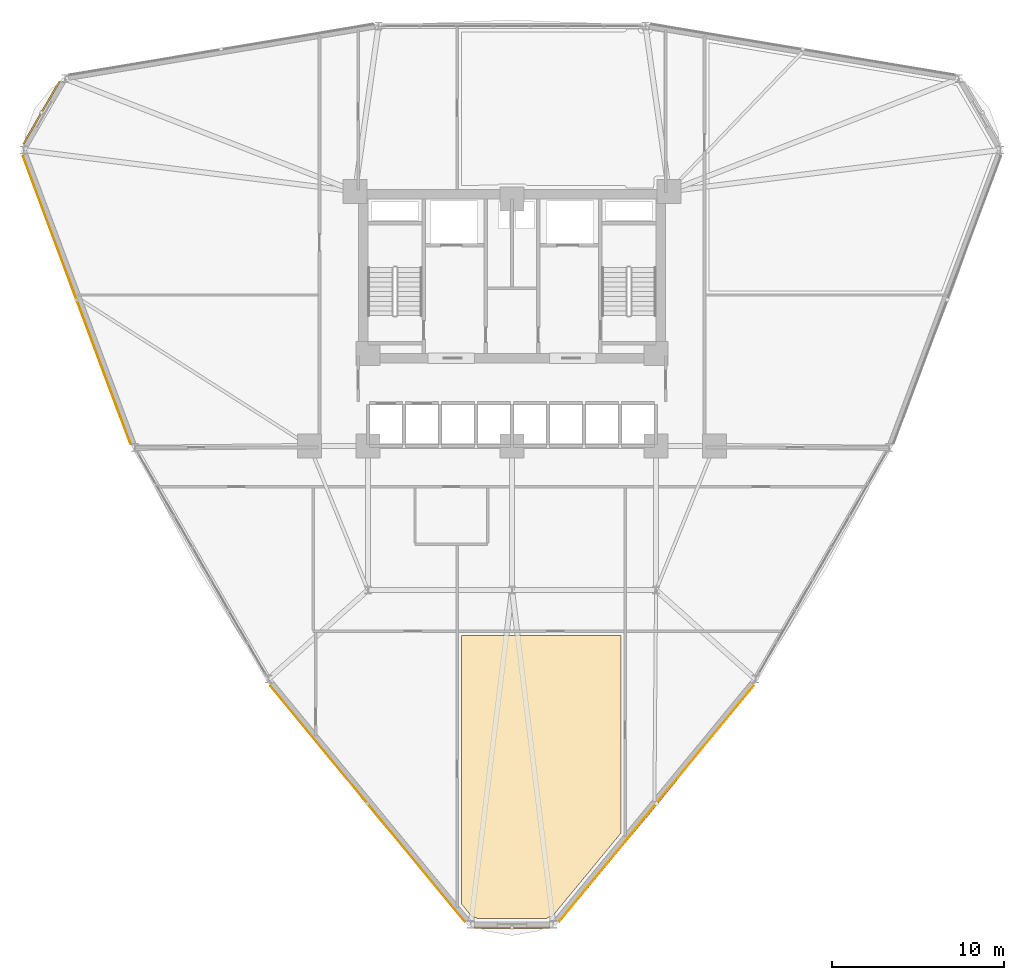
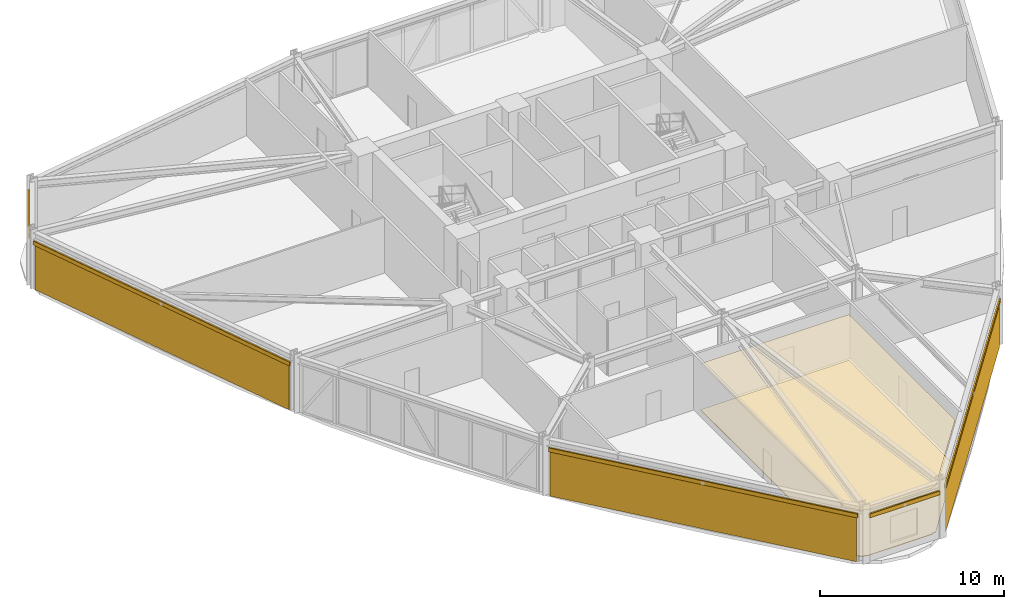
# One storey, part 20 of 22: 5 coverings, 5 shading devices.
"""IFC4 building model written with IfcOpenShell, lengths in metres."""

from ifc_helpers import new_model, si_unit, derived_unit, direction, frame, origin, origin_2d, place, context, subcontext, project, spatial, polyline, hollow_rectangle, outline, extrude, source, transform, mapped, material, layer, layer_set, material_profile, profile_set, type_object, element, save


model = new_model("IFC4")

# Units and contexts
model_context = context("Model", 3, precision=1e-05, world=origin(), true_north=direction((0.0, 1.0)))
body_context = subcontext(model_context, "Body", "Model", "MODEL_VIEW")
ifc_project = project(units=[si_unit("LENGTHUNIT", "METRE"), si_unit("AREAUNIT", "SQUARE_METRE"), si_unit("VOLUMEUNIT", "CUBIC_METRE"), si_unit("PLANEANGLEUNIT", "RADIAN"), si_unit("MASSUNIT", "GRAM", prefix="KILO"), derived_unit("THERMALTRANSMITTANCEUNIT", [(si_unit("POWERUNIT", "WATT"), 1), (si_unit("LENGTHUNIT", "METRE"), -2), (si_unit("THERMODYNAMICTEMPERATUREUNIT", "KELVIN"), -1)])], contexts=[model_context])

# Site, building, storey
site_placement = place(None, origin())
site = spatial("IfcSite", under=ifc_project, at=site_placement, CompositionType="ELEMENT")
building_placement = place(site_placement, origin())
building = spatial("IfcBuilding", under=site, at=building_placement, Name="Korsvarv Bourse and Concert Hall", CompositionType="ELEMENT")
storey_placement = place(building_placement, frame((0.0, 0.0, 47.39990234375)))
storey = spatial("IfcBuildingStorey", under=building, at=storey_placement, Name="L11", CompositionType="ELEMENT", Elevation=47.39990234375)

# Coverings
ifc_material_1 = material(Name="Perforated mineral-wool and birch acoustic baffle ceiling", Category="wood")
ifc_layer_1 = layer(ifc_material_1, 0.02490234375)
ifc_layer_set_1 = layer_set([ifc_layer_1], Name="Perforated mineral-wool and birch acoustic baffle ceiling")
covering_type_1 = type_object("IfcCoveringType", Name="COV-CEIL-1", PredefinedType="CEILING", material=ifc_layer_set_1)
covering_1_placement = place(storey_placement, frame((0.0, 0.0, 3.06005859375)))
element("IfcCovering", 1, at=covering_1_placement, inside=storey, type_object=covering_type_1, Name="L11 acoustic baffle ceiling 2", PredefinedType="CEILING", context=body_context, shape_type="SweptSolid", body=[
    extrude(outline(polyline([(33.9580078125, 4.857421875), (33.934326171875, 4.88232421875), (33.906494140625, 4.902099609375), (33.875244140625, 4.916259765625), (33.842041015625, 4.92431640625), (33.6865234375, 4.932373046875), (33.050048828125, 5.7041015625), (33.050048828125, 21.35009765625), (42.35009765625, 21.35009765625), (42.35009765625, 9.828125), (38.316650390625, 4.93603515625), (38.193359375, 4.93603515625), (38.15869140625, 4.9326171875), (38.125, 4.922607421875), (38.09423828125, 4.906494140625), (38.067138671875, 4.884521484375), (38.044677734375, 4.857666015625), (33.9580078125, 4.857421875)])), origin(), (0.0, 0.0, 1.0), 0.025146484375),
])
ifc_material_2 = material(Name="Warm iron-oxide extruded terracotta rainscreen tile", Category="ceramic")
ifc_layer_2 = layer(ifc_material_2, 0.044921875)
ifc_layer_set_2 = layer_set([ifc_layer_2], Name="Warm iron-oxide extruded terracotta rainscreen tile")
covering_type_2 = type_object("IfcCoveringType", Name="COV-CLD-TC", PredefinedType="CLADDING", material=ifc_layer_set_2)
covering_2_placement = place(storey_placement, origin())
element("IfcCovering", 2, at=covering_2_placement, inside=storey, type_object=covering_type_2, Name="L11 fluted terracotta cladding panel EW-L11-B06", PredefinedType="CLADDING", context=body_context, shape_type="SweptSolid", body=[
    extrude(outline(polyline([(7.517578125, 49.298095703125), (13.771728515625, 32.566650390625), (13.729736328125, 32.55078125), (7.475341796875, 49.282470703125), (7.517578125, 49.298095703125)])), origin(), (0.0, 0.0, 1.0), 2.91015625),
])
covering_3_placement = place(storey_placement, origin())
element("IfcCovering", 3, at=covering_3_placement, inside=storey, type_object=covering_type_2, Name="L11 fluted terracotta cladding panel EW-L11-B08", PredefinedType="CLADDING", context=body_context, shape_type="SweptSolid", body=[
    extrude(outline(polyline([(21.94775390625, 18.423828125), (33.239990234375, 4.726806640625), (33.205322265625, 4.6982421875), (21.9130859375, 18.395263671875), (21.94775390625, 18.423828125)])), origin(), (0.0, 0.0, 1.0), 2.91015625),
])
covering_4_placement = place(storey_placement, origin())
element("IfcCovering", 4, at=covering_4_placement, inside=storey, type_object=covering_type_2, Name="L11 fluted terracotta cladding panel EW-L11-B10", PredefinedType="CLADDING", context=body_context, shape_type="SweptSolid", body=[
    extrude(outline(polyline([(38.760009765625, 4.726806640625), (50.05224609375, 18.423828125), (50.0869140625, 18.395263671875), (38.794677734375, 4.6982421875), (38.760009765625, 4.726806640625)])), origin(), (0.0, 0.0, 1.0), 2.91015625),
])
ifc_material_3 = material(Name="Calcium-sulphate raised access trading floor with Nordic oak top", Category="wood")
ifc_layer_3 = layer(ifc_material_3, 0.0400390625)
ifc_layer_set_3 = layer_set([ifc_layer_3], Name="Calcium-sulphate raised access trading floor with Nordic oak top")
covering_type_3 = type_object("IfcCoveringType", Name="COV-FLOR-1", PredefinedType="FLOORING", material=ifc_layer_set_3)
covering_5_placement = place(storey_placement, origin())
element("IfcCovering", 5, at=covering_5_placement, inside=storey, type_object=covering_type_3, Name="L11 raised access oak floor finish 2", PredefinedType="FLOORING", context=body_context, shape_type="SweptSolid", body=[
    extrude(outline(polyline([(33.9580078125, 4.857421875), (33.934326171875, 4.88232421875), (33.906494140625, 4.902099609375), (33.875244140625, 4.916259765625), (33.842041015625, 4.92431640625), (33.6865234375, 4.932373046875), (33.050048828125, 5.7041015625), (33.050048828125, 21.35009765625), (42.35009765625, 21.35009765625), (42.35009765625, 9.828125), (38.316650390625, 4.93603515625), (38.193359375, 4.93603515625), (38.15869140625, 4.9326171875), (38.125, 4.922607421875), (38.09423828125, 4.906494140625), (38.067138671875, 4.884521484375), (38.044677734375, 4.857666015625), (33.9580078125, 4.857421875)])), origin(), (0.0, 0.0, 1.0), 0.0400390625),
])

# Shading devices
ifc_material_4 = material(Name="Glazed extruded architectural terracotta", Category="ceramic")
ifc_material_profile = material_profile(ifc_material_4, hollow_rectangle(XDim=0.090087890625, YDim=0.260009765625, WallThickness=0.011962890625, at=origin_2d()), Name="TC-BAG 90x260")
ifc_profile_set = profile_set([ifc_material_profile], Name="Glazed extruded architectural terracotta")
shading_device_type = type_object("IfcShadingDeviceType", Name="SHD-BAG-1", PredefinedType="USERDEFINED", material=ifc_profile_set)
shared_shape_1 = source(origin(), body_context, "Body", "SweptSolid", [
    extrude(hollow_rectangle(XDim=0.090087890625, YDim=0.260009765625, WallThickness=0.011962890625, at=origin_2d()), origin(), (0.0, 0.0, 1.0), 4.251708984375),
])
shading_device_1_placement = place(storey_placement, frame((9.630859375, 53.678955078125, 3.070068359375), z_axis=(-0.500017365573, -0.866015377534, 0.0), x_axis=(0.866015377534, -0.500017365573, 0.0)))
element("IfcShadingDevice", 6, at=shading_device_1_placement, inside=storey, type_object=shading_device_type, Name="L11 terracotta baguette sunshade EW-L11-B05", ObjectType="BAGUETTE", PredefinedType="USERDEFINED", context=body_context, shape_type="MappedRepresentation", body=[
    mapped(shared_shape_1, transform((0.0, 0.0, 0.0), scale=1.0)),
])
shared_shape_2 = source(origin(), body_context, "Body", "SweptSolid", [
    extrude(hollow_rectangle(XDim=0.090087890625, YDim=0.260009765625, WallThickness=0.011962890625, at=origin_2d()), origin(), (0.0, 0.0, 1.0), 18.022216796875),
])
shading_device_2_placement = place(storey_placement, frame((7.451904296875, 49.359130859375, 3.070068359375), z_axis=(0.350152351757, -0.936692762094, 0.0), x_axis=(0.936692762094, 0.350152351757, 0.0)))
element("IfcShadingDevice", 7, at=shading_device_2_placement, inside=storey, type_object=shading_device_type, Name="L11 terracotta baguette sunshade EW-L11-B06", ObjectType="BAGUETTE", PredefinedType="USERDEFINED", context=body_context, shape_type="MappedRepresentation", body=[
    mapped(shared_shape_2, transform((0.0, 0.0, 0.0), scale=1.0)),
])
shared_shape_3 = source(origin(), body_context, "Body", "SweptSolid", [
    extrude(hollow_rectangle(XDim=0.090087890625, YDim=0.260009765625, WallThickness=0.011962890625, at=origin_2d()), origin(), (0.0, 0.0, 1.0), 17.911865234375),
])
for number, where, z_axis, x_axis, name in (
    (8, (21.865966796875, 18.460205078125, 3.070068359375), (0.636134749951, -0.771577980443, 0.0), (0.771577980443, 0.636134749951, 0.0), "L11 terracotta baguette sunshade EW-L11-B08"),
    (9, (38.73974609375, 4.639892578125, 3.070068359375), (0.636134749951, 0.771577980443, 0.0), (-0.771577980443, 0.636134749951, 0.0), "L11 terracotta baguette sunshade EW-L11-B10"),
):
    element("IfcShadingDevice", number, at=place(storey_placement, frame(where, z_axis=z_axis, x_axis=x_axis)), inside=storey, type_object=shading_device_type, Name=name, ObjectType="BAGUETTE", PredefinedType="USERDEFINED", context=body_context, shape_type="MappedRepresentation", body=[
        mapped(shared_shape_3, transform((0.0, 0.0, 0.0), scale=1.0)),
    ])
shared_shape_4 = source(origin(), body_context, "Body", "SweptSolid", [
    extrude(hollow_rectangle(XDim=0.090087890625, YDim=0.260009765625, WallThickness=0.011962890625, at=origin_2d()), origin(), (0.0, 0.0, 1.0), 4.37646484375),
])
shading_device_3_placement = place(storey_placement, frame((33.811767578125, 4.32421875, 3.070068359375), z_axis=(1.0, 0.0, 0.0), x_axis=(0.0, 1.0, 0.0)))
element("IfcShadingDevice", 10, at=shading_device_3_placement, inside=storey, type_object=shading_device_type, Name="L11 terracotta baguette sunshade EW-L11-B09", ObjectType="BAGUETTE", PredefinedType="USERDEFINED", context=body_context, shape_type="MappedRepresentation", body=[
    mapped(shared_shape_4, transform((0.0, 0.0, 0.0), scale=1.0)),
])

save(model, "model.ifc")
